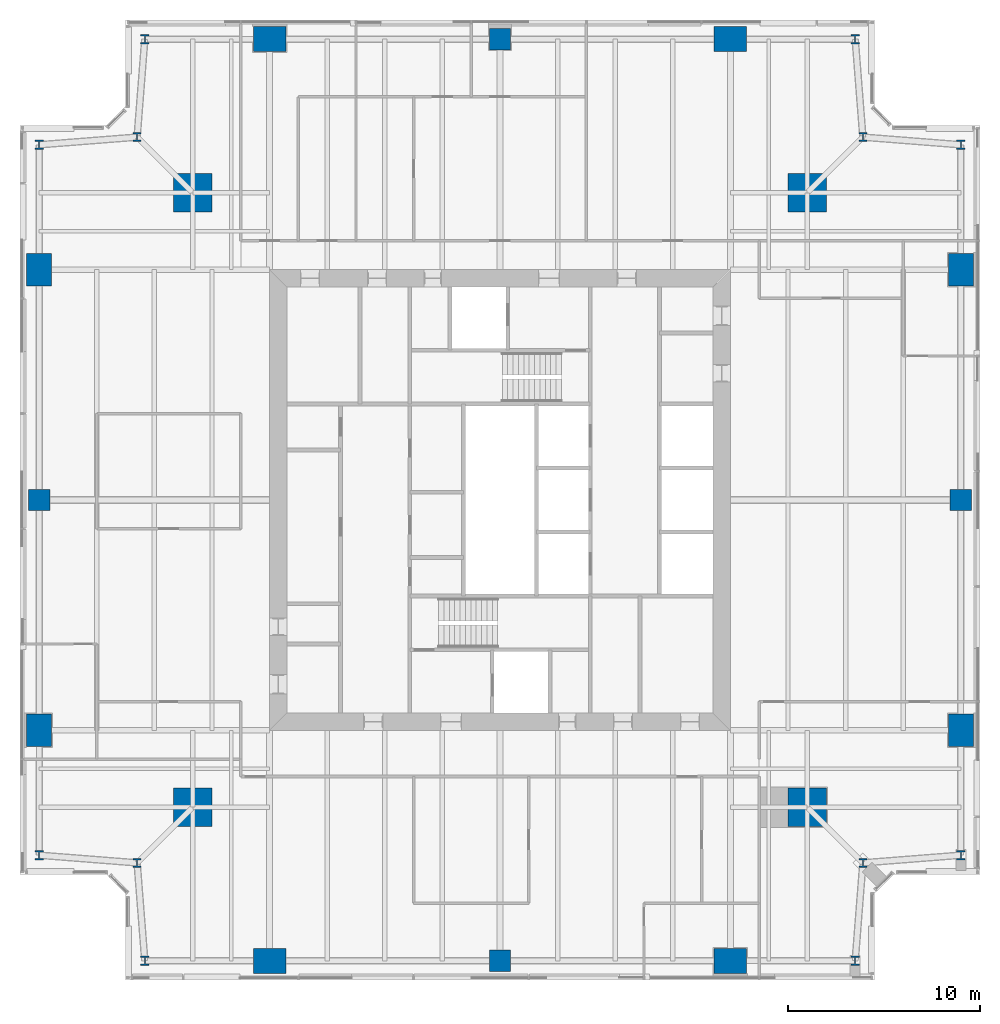
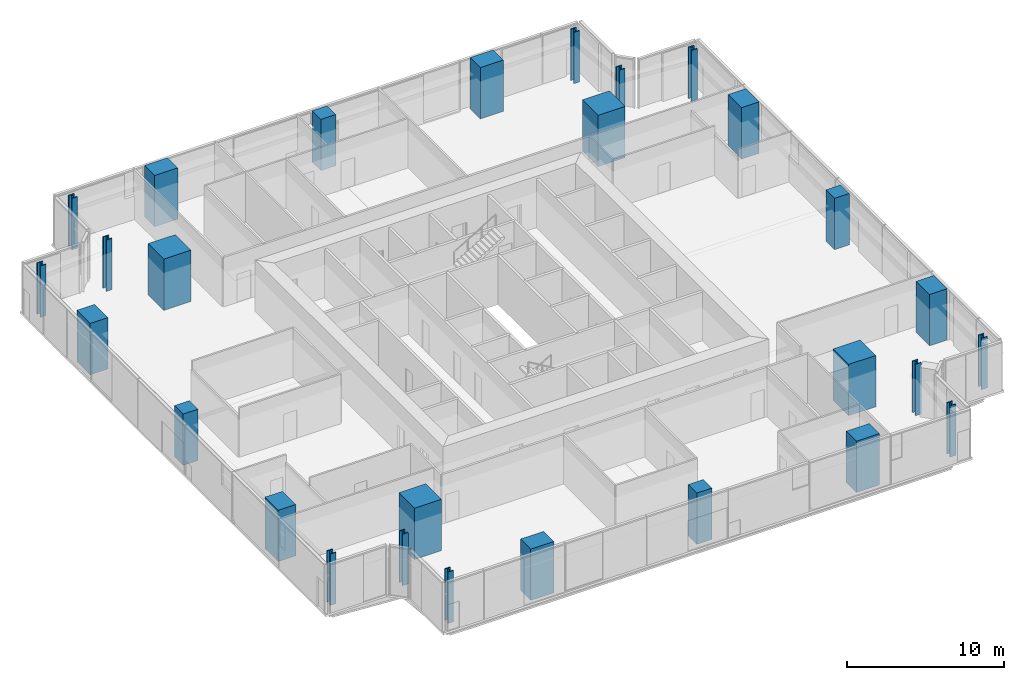
# One storey, part 1 of 15: 28 columns.
"""IFC4 building model written with IfcOpenShell, lengths in metres."""

from ifc_helpers import new_model, si_unit, direction, frame, origin, origin_2d, place, context, subcontext, project, spatial, rectangle, i_section, extrude, material, material_profile, profile_set, type_object, element, save


model = new_model("IFC4")

# Units and contexts
model_context = context("Model", 3, precision=1e-05, world=origin(), true_north=direction((0.0, 1.0)))
body_context = subcontext(model_context, "Body", "Model", "MODEL_VIEW")
ifc_project = project(units=[si_unit("LENGTHUNIT", "METRE"), si_unit("AREAUNIT", "SQUARE_METRE"), si_unit("VOLUMEUNIT", "CUBIC_METRE"), si_unit("PLANEANGLEUNIT", "RADIAN"), si_unit("MASSUNIT", "GRAM", prefix="KILO")], contexts=[model_context])

# Site, building, storey
site_placement = place(None, origin())
site = spatial("IfcSite", under=ifc_project, at=site_placement, CompositionType="ELEMENT")
building_placement = place(site_placement, origin())
building = spatial("IfcBuilding", under=site, at=building_placement, Name="Fenwick Lantern Interchange", CompositionType="ELEMENT")
storey_placement = place(building_placement, frame((0.0, 0.0, 209.800048828125)))
storey = spatial("IfcBuildingStorey", under=building, at=storey_placement, Name="L49", CompositionType="ELEMENT", Elevation=209.800048828125)

# Columns
ifc_material_1 = material(Name="Concrete f'c 70 MPa", Category="concrete")
ifc_material_profile_1 = material_profile(ifc_material_1, rectangle(XDim=2.0, YDim=2.0, at=origin_2d()), Name="RC2000X2000")
ifc_profile_set_1 = profile_set([ifc_material_profile_1], Name="Concrete f'c 70 MPa")
column_type_1 = type_object("IfcColumnType", Name="MEGA COLUMN RC2000X2000", PredefinedType="COLUMN", material=ifc_profile_set_1)
for number, where, z_axis, x_axis, name in (
    (1, (9.0, 9.0, 0.0), (0.0, 0.0, 1.0), (1.0, 0.0, 0.0), "L49/M1"),
    (2, (41.0, 9.0, 0.0), (0.0, 0.0, 1.0), (1.0, 0.0, 0.0), "L49/M2"),
    (3, (41.0, 41.0, 0.0), (0.0, 0.0, 1.0), (1.0, 0.0, 0.0), "L49/M3"),
    (4, (9.0, 41.0, 0.0), (0.0, 0.0, 1.0), (1.0, 0.0, 0.0), "L49/M4"),
):
    element("IfcColumn", number, at=place(storey_placement, frame(where, z_axis=z_axis, x_axis=x_axis)), inside=storey, type_object=column_type_1, Name=name, PredefinedType="COLUMN", context=body_context, shape_type="SweptSolid", body=[
        extrude(rectangle(XDim=2.0, YDim=2.0, at=origin_2d()), origin(), (0.0, 0.0, 1.0), 4.0),
    ])
ifc_material_profile_2 = material_profile(ifc_material_1, rectangle(XDim=1.10009765625, YDim=1.10009765625, at=origin_2d()), Name="RC1100X1100")
ifc_profile_set_2 = profile_set([ifc_material_profile_2], Name="Concrete f'c 70 MPa")
column_type_2 = type_object("IfcColumnType", Name="PERIMETER COLUMN RC1100X1100", PredefinedType="COLUMN", material=ifc_profile_set_2)
for number, where, z_axis, x_axis, name in (
    (5, (25.0, 1.0, 0.0), (0.0, 0.0, 1.0), (1.0, 0.0, 0.0), "L49/CS3"),
    (6, (49.0, 25.0, 0.0), (0.0, 0.0, 1.0), (1.0, 0.0, 0.0), "L49/CE3"),
    (7, (25.0, 49.0, 0.0), (0.0, 0.0, 1.0), (1.0, 0.0, 0.0), "L49/CN3"),
    (8, (1.0, 25.0, 0.0), (0.0, 0.0, 1.0), (1.0, 0.0, 0.0), "L49/CW3"),
):
    element("IfcColumn", number, at=place(storey_placement, frame(where, z_axis=z_axis, x_axis=x_axis)), inside=storey, type_object=column_type_2, Name=name, PredefinedType="COLUMN", context=body_context, shape_type="SweptSolid", body=[
        extrude(rectangle(XDim=1.10009765625, YDim=1.10009765625, at=origin_2d()), origin(), (0.0, 0.0, 1.0), 4.0),
    ])
ifc_material_profile_3 = material_profile(ifc_material_1, rectangle(XDim=1.300048828125, YDim=1.699951171875, at=origin_2d()), Name="RC1300X1700")
ifc_profile_set_3 = profile_set([ifc_material_profile_3], Name="Concrete f'c 70 MPa")
column_type_3 = type_object("IfcColumnType", Name="PERIMETER COLUMN RC1300X1700", PredefinedType="COLUMN", material=ifc_profile_set_3)
for number, where, z_axis, x_axis, name in (
    (9, (49.0, 13.0, 0.0), (0.0, 0.0, 1.0), (1.0, 0.0, 0.0), "L49/CE2"),
    (10, (49.0, 37.0, 0.0), (0.0, 0.0, 1.0), (1.0, 0.0, 0.0), "L49/CE4"),
    (11, (1.0, 37.0, 0.0), (0.0, 0.0, 1.0), (1.0, 0.0, 0.0), "L49/CW2"),
    (12, (1.0, 13.0, 0.0), (0.0, 0.0, 1.0), (1.0, 0.0, 0.0), "L49/CW4"),
):
    element("IfcColumn", number, at=place(storey_placement, frame(where, z_axis=z_axis, x_axis=x_axis)), inside=storey, type_object=column_type_3, Name=name, PredefinedType="COLUMN", context=body_context, shape_type="SweptSolid", body=[
        extrude(rectangle(XDim=1.300048828125, YDim=1.699951171875, at=origin_2d()), origin(), (0.0, 0.0, 1.0), 4.0),
    ])
ifc_material_profile_4 = material_profile(ifc_material_1, rectangle(XDim=1.699951171875, YDim=1.300048828125, at=origin_2d()), Name="RC1700X1300")
ifc_profile_set_4 = profile_set([ifc_material_profile_4], Name="Concrete f'c 70 MPa")
column_type_4 = type_object("IfcColumnType", Name="PERIMETER COLUMN RC1700X1300", PredefinedType="COLUMN", material=ifc_profile_set_4)
for number, where, z_axis, x_axis, name in (
    (13, (13.0, 1.0, 0.0), (0.0, 0.0, 1.0), (1.0, 0.0, 0.0), "L49/CS2"),
    (14, (37.0, 1.0, 0.0), (0.0, 0.0, 1.0), (1.0, 0.0, 0.0), "L49/CS4"),
    (15, (37.0, 49.0, 0.0), (0.0, 0.0, 1.0), (1.0, 0.0, 0.0), "L49/CN2"),
    (16, (13.0, 49.0, 0.0), (0.0, 0.0, 1.0), (1.0, 0.0, 0.0), "L49/CN4"),
):
    element("IfcColumn", number, at=place(storey_placement, frame(where, z_axis=z_axis, x_axis=x_axis)), inside=storey, type_object=column_type_4, Name=name, PredefinedType="COLUMN", context=body_context, shape_type="SweptSolid", body=[
        extrude(rectangle(XDim=1.699951171875, YDim=1.300048828125, at=origin_2d()), origin(), (0.0, 0.0, 1.0), 4.0),
    ])
ifc_material_2 = material(Name="Steel ASTM A992 Grade 50", Category="steel")
ifc_material_profile_5 = material_profile(ifc_material_2, i_section(OverallWidth=0.424072265625, OverallDepth=0.47509765625, WebThickness=0.0478515625, FlangeThickness=0.0771484375, at=origin_2d()), Name="W14X426")
ifc_profile_set_5 = profile_set([ifc_material_profile_5], Name="Steel ASTM A992 Grade 50")
column_type_5 = type_object("IfcColumnType", Name="PERIMETER COLUMN W14X426", PredefinedType="COLUMN", material=ifc_profile_set_5)
for number, where, z_axis, x_axis, name in (
    (17, (6.5, 1.0, 0.0), (0.0, 0.0, 1.0), (1.0, 0.0, 0.0), "L49/CS1"),
    (18, (43.5, 1.0, 0.0), (0.0, 0.0, 1.0), (1.0, 0.0, 0.0), "L49/CS5"),
    (19, (43.89990234375, 6.10009765625, 0.0), (0.0, 0.0, 1.0), (1.0, 0.0, 0.0), "L49/CSR"),
    (20, (49.0, 6.5, 0.0), (0.0, 0.0, 1.0), (1.0, 0.0, 0.0), "L49/CE1"),
    (21, (49.0, 43.5, 0.0), (0.0, 0.0, 1.0), (1.0, 0.0, 0.0), "L49/CE5"),
    (22, (43.89990234375, 43.89990234375, 0.0), (0.0, 0.0, 1.0), (1.0, 0.0, 0.0), "L49/CER"),
    (23, (43.5, 49.0, 0.0), (0.0, 0.0, 1.0), (1.0, 0.0, 0.0), "L49/CN1"),
    (24, (6.5, 49.0, 0.0), (0.0, 0.0, 1.0), (1.0, 0.0, 0.0), "L49/CN5"),
    (25, (6.10009765625, 43.89990234375, 0.0), (0.0, 0.0, 1.0), (1.0, 0.0, 0.0), "L49/CNR"),
    (26, (1.0, 43.5, 0.0), (0.0, 0.0, 1.0), (1.0, 0.0, 0.0), "L49/CW1"),
    (27, (1.0, 6.5, 0.0), (0.0, 0.0, 1.0), (1.0, 0.0, 0.0), "L49/CW5"),
    (28, (6.10009765625, 6.10009765625, 0.0), (0.0, 0.0, 1.0), (1.0, 0.0, 0.0), "L49/CWR"),
):
    element("IfcColumn", number, at=place(storey_placement, frame(where, z_axis=z_axis, x_axis=x_axis)), inside=storey, type_object=column_type_5, Name=name, PredefinedType="COLUMN", context=body_context, shape_type="SweptSolid", body=[
        extrude(i_section(OverallWidth=0.424072265625, OverallDepth=0.47509765625, WebThickness=0.0478515625, FlangeThickness=0.0771484375, at=origin_2d()), origin(), (0.0, 0.0, 1.0), 4.0),
    ])

save(model, "model.ifc")
